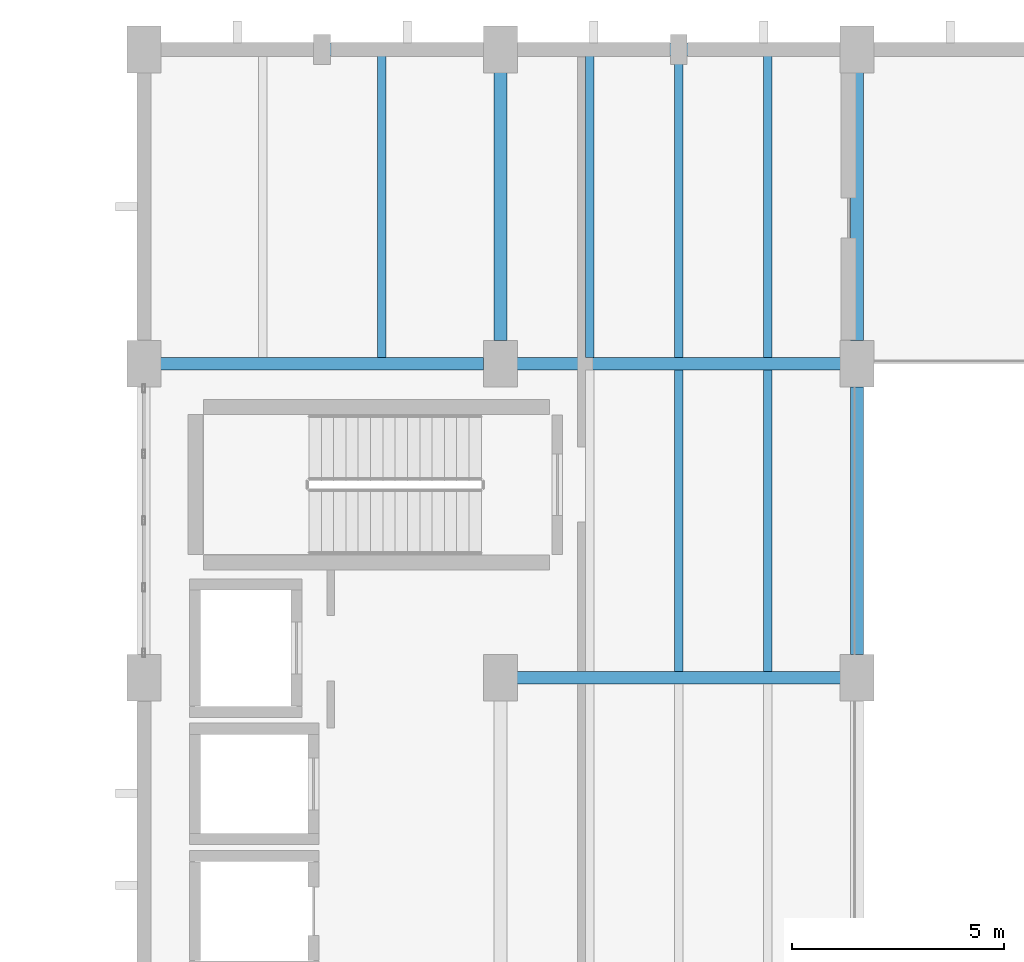
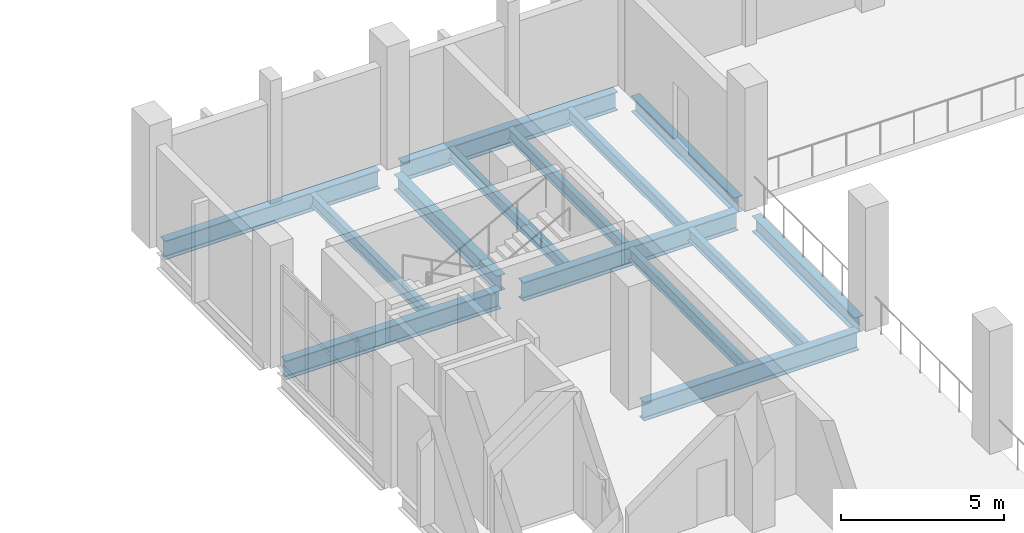
# One storey, part 50 of 136: 14 beams.
"""IFC4 building model written with IfcOpenShell, lengths in metres."""

from ifc_helpers import new_model, si_unit, direction, frame, origin, origin_2d, place, context, subcontext, project, spatial, i_section, extrude, material, material_profile, profile_set, type_object, element, save


model = new_model("IFC4")

# Units and contexts
model_context = context("Model", 3, precision=1e-05, world=origin(), true_north=direction((0.0, 1.0)))
body_context = subcontext(model_context, "Body", "Model", "MODEL_VIEW")
ifc_project = project(units=[si_unit("LENGTHUNIT", "METRE"), si_unit("AREAUNIT", "SQUARE_METRE"), si_unit("VOLUMEUNIT", "CUBIC_METRE"), si_unit("PLANEANGLEUNIT", "RADIAN"), si_unit("MASSUNIT", "GRAM", prefix="KILO")], contexts=[model_context])

# Site, building, storey
site_placement = place(None, origin())
site = spatial("IfcSite", under=ifc_project, at=site_placement, CompositionType="ELEMENT")
building_placement = place(site_placement, origin())
building = spatial("IfcBuilding", under=site, at=building_placement, Name="Shengluoqiao Park Theatre", CompositionType="ELEMENT")
storey_placement = place(building_placement, frame((0.0, 0.0, 10.0)))
storey = spatial("IfcBuildingStorey", under=building, at=storey_placement, Name="L02", CompositionType="ELEMENT", Elevation=10.0)

# Beams
ifc_material_1 = material(Name="Steel Q355", Category="steel")
ifc_material_profile_1 = material_profile(ifc_material_1, i_section(OverallWidth=0.300048828125, OverallDepth=0.587890625, WebThickness=0.011962890625, FlangeThickness=0.02001953125, FilletRadius=0.02392578125, at=origin_2d()), Name="HM 588x300x12x20")
ifc_profile_set_1 = profile_set([ifc_material_profile_1], Name="Steel Q355")
beam_type_1 = type_object("IfcBeamType", Name="STR-BM-G-HM588", PredefinedType="BEAM", material=ifc_profile_set_1)
for number, where, z_axis, x_axis, name in (
    (1, (52.800048828125, 107.14404296875, -0.533935546875), (0.0, 1.0, 0.0), (-1.0, 0.0, 0.0), "L02 Transverse Girder 00805"),
    (2, (61.199951171875, 99.743896484375, -0.5439453125), (0.0, 1.0, 0.0), (-1.0, 0.0, 0.0), "L02 Transverse Girder 00809"),
    (3, (61.199951171875, 107.14404296875, -0.5439453125), (0.0, 1.0, 0.0), (-1.0, 0.0, 0.0), "L02 Transverse Girder 00810"),
):
    element("IfcBeam", number, at=place(storey_placement, frame(where, z_axis=z_axis, x_axis=x_axis)), inside=storey, type_object=beam_type_1, Name=name, PredefinedType="BEAM", context=body_context, shape_type="SweptSolid", body=[
        extrude(i_section(OverallWidth=0.300048828125, OverallDepth=0.587890625, WebThickness=0.011962890625, FlangeThickness=0.02001953125, FilletRadius=0.02392578125, at=origin_2d()), origin(), (0.0, 0.0, 1.0), 6.31201171875),
    ])
ifc_material_2 = material(Name="Steel Q390", Category="steel")
ifc_material_profile_2 = material_profile(ifc_material_2, i_section(OverallWidth=0.300048828125, OverallDepth=0.699951171875, WebThickness=0.012939453125, FlangeThickness=0.02392578125, FilletRadius=0.02392578125, at=origin_2d()), Name="HN 700x300x13x24")
ifc_profile_set_2 = profile_set([ifc_material_profile_2], Name="Steel Q390")
beam_type_2 = type_object("IfcBeamType", Name="STR-BM-G-HN700", PredefinedType="BEAM", material=ifc_profile_set_2)
beam_1_placement = place(storey_placement, frame((53.194091796875, 99.199951171875, -0.590087890625), z_axis=(1.0, 0.0, 0.0), x_axis=(0.0, 1.0, 0.0)))
element("IfcBeam", 4, at=beam_1_placement, inside=storey, type_object=beam_type_2, Name="L02 Primary Girder 00793", PredefinedType="BEAM", context=body_context, shape_type="SweptSolid", body=[
    extrude(i_section(OverallWidth=0.300048828125, OverallDepth=0.699951171875, WebThickness=0.012939453125, FlangeThickness=0.02392578125, FilletRadius=0.02392578125, at=origin_2d()), origin(), (0.0, 0.0, 1.0), 7.61181640625),
])
beam_2_placement = place(storey_placement, frame((44.7939453125, 106.60009765625, -0.590087890625), z_axis=(1.0, 0.0, 0.0), x_axis=(0.0, 1.0, 0.0)))
element("IfcBeam", 5, at=beam_2_placement, inside=storey, type_object=beam_type_2, Name="L02 Primary Girder 00794", PredefinedType="BEAM", context=body_context, shape_type="SweptSolid", body=[
    extrude(i_section(OverallWidth=0.300048828125, OverallDepth=0.699951171875, WebThickness=0.012939453125, FlangeThickness=0.02392578125, FilletRadius=0.02392578125, at=origin_2d()), origin(), (0.0, 0.0, 1.0), 7.612060546875),
])
beam_3_placement = place(storey_placement, frame((53.194091796875, 106.60009765625, -0.60009765625), z_axis=(1.0, 0.0, 0.0), x_axis=(0.0, 1.0, 0.0)))
element("IfcBeam", 6, at=beam_3_placement, inside=storey, type_object=beam_type_2, Name="L02 Primary Girder 00795", PredefinedType="BEAM", context=body_context, shape_type="SweptSolid", body=[
    extrude(i_section(OverallWidth=0.300048828125, OverallDepth=0.699951171875, WebThickness=0.012939453125, FlangeThickness=0.02392578125, FilletRadius=0.02392578125, at=origin_2d()), origin(), (0.0, 0.0, 1.0), 7.61181640625),
])
beam_4_placement = place(storey_placement, frame((44.7939453125, 114.0, -0.590087890625), z_axis=(1.0, 0.0, 0.0), x_axis=(0.0, 1.0, 0.0)))
element("IfcBeam", 7, at=beam_4_placement, inside=storey, type_object=beam_type_2, Name="L02 Primary Girder 00796", PredefinedType="BEAM", context=body_context, shape_type="SweptSolid", body=[
    extrude(i_section(OverallWidth=0.300048828125, OverallDepth=0.699951171875, WebThickness=0.012939453125, FlangeThickness=0.02392578125, FilletRadius=0.02392578125, at=origin_2d()), origin(), (0.0, 0.0, 1.0), 7.612060546875),
])
beam_5_placement = place(storey_placement, frame((53.194091796875, 114.0, -0.60009765625), z_axis=(1.0, 0.0, 0.0), x_axis=(0.0, 1.0, 0.0)))
element("IfcBeam", 8, at=beam_5_placement, inside=storey, type_object=beam_type_2, Name="L02 Primary Girder 00797", PredefinedType="BEAM", context=body_context, shape_type="SweptSolid", body=[
    extrude(i_section(OverallWidth=0.300048828125, OverallDepth=0.699951171875, WebThickness=0.012939453125, FlangeThickness=0.02392578125, FilletRadius=0.02392578125, at=origin_2d()), origin(), (0.0, 0.0, 1.0), 7.61181640625),
])
ifc_material_profile_3 = material_profile(ifc_material_1, i_section(OverallWidth=0.199951171875, OverallDepth=0.449951171875, WebThickness=0.009033203125, FlangeThickness=0.013916015625, FilletRadius=0.01611328125, at=origin_2d()), Name="HN 450x200x9x14")
ifc_profile_set_3 = profile_set([ifc_material_profile_3], Name="Steel Q355")
beam_type_3 = type_object("IfcBeamType", Name="STR-BM-J-HN450", PredefinedType="JOIST", material=ifc_profile_set_3)
beam_6_placement = place(storey_placement, frame((50.0, 106.7451171875, -0.465087890625), z_axis=(0.0, 1.0, 0.0), x_axis=(-1.0, 0.0, 0.0)))
element("IfcBeam", 9, at=beam_6_placement, inside=storey, type_object=beam_type_3, Name="L02 Composite Joist 00814", PredefinedType="JOIST", context=body_context, shape_type="SweptSolid", body=[
    extrude(i_section(OverallWidth=0.199951171875, OverallDepth=0.449951171875, WebThickness=0.009033203125, FlangeThickness=0.013916015625, FilletRadius=0.01611328125, at=origin_2d()), origin(), (0.0, 0.0, 1.0), 7.10986328125),
])
for number, where, z_axis, x_axis, name in (
    (10, (57.0, 99.344970703125, -0.465087890625), (0.0, 1.0, 0.0), (-1.0, 0.0, 0.0), "L02 Composite Joist 00825"),
    (11, (59.10009765625, 99.344970703125, -0.465087890625), (0.0, 1.0, 0.0), (-1.0, 0.0, 0.0), "L02 Composite Joist 00826"),
):
    element("IfcBeam", number, at=place(storey_placement, frame(where, z_axis=z_axis, x_axis=x_axis)), inside=storey, type_object=beam_type_3, Name=name, PredefinedType="JOIST", context=body_context, shape_type="SweptSolid", body=[
        extrude(i_section(OverallWidth=0.199951171875, OverallDepth=0.449951171875, WebThickness=0.009033203125, FlangeThickness=0.013916015625, FilletRadius=0.01611328125, at=origin_2d()), origin(), (0.0, 0.0, 1.0), 7.110107421875),
    ])
for number, where, z_axis, x_axis, name in (
    (12, (54.89990234375, 106.7451171875, -0.465087890625), (0.0, 1.0, 0.0), (-1.0, 0.0, 0.0), "L02 Composite Joist 00827"),
    (13, (57.0, 106.7451171875, -0.465087890625), (0.0, 1.0, 0.0), (-1.0, 0.0, 0.0), "L02 Composite Joist 00828"),
    (14, (59.10009765625, 106.7451171875, -0.465087890625), (0.0, 1.0, 0.0), (-1.0, 0.0, 0.0), "L02 Composite Joist 00829"),
):
    element("IfcBeam", number, at=place(storey_placement, frame(where, z_axis=z_axis, x_axis=x_axis)), inside=storey, type_object=beam_type_3, Name=name, PredefinedType="JOIST", context=body_context, shape_type="SweptSolid", body=[
        extrude(i_section(OverallWidth=0.199951171875, OverallDepth=0.449951171875, WebThickness=0.009033203125, FlangeThickness=0.013916015625, FilletRadius=0.01611328125, at=origin_2d()), origin(), (0.0, 0.0, 1.0), 7.10986328125),
    ])

save(model, "model.ifc")
